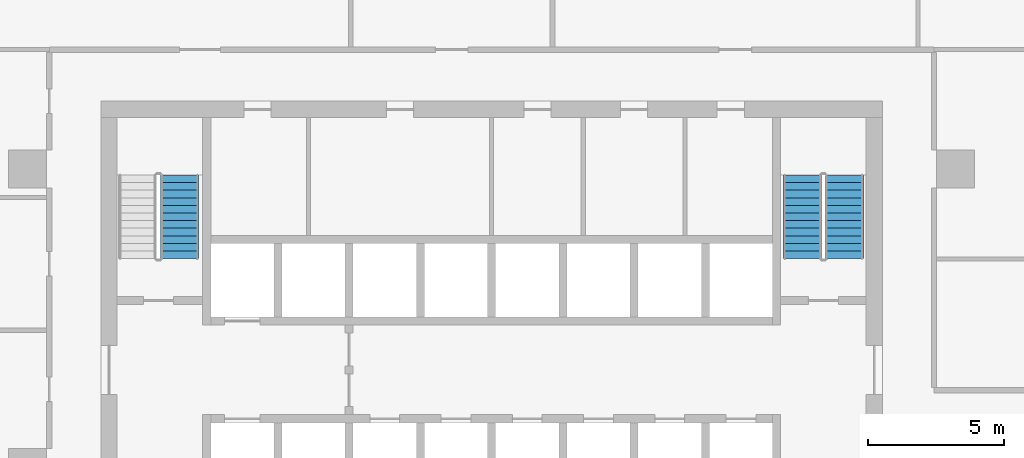
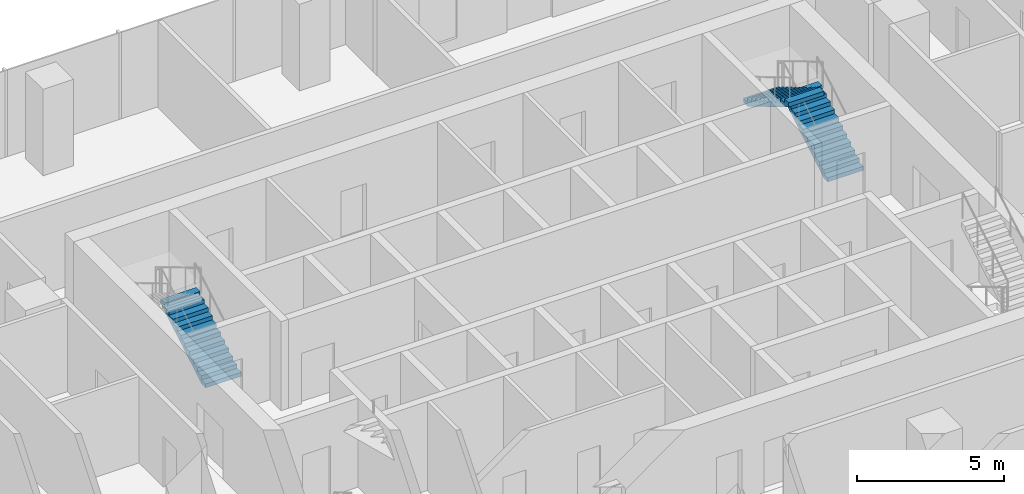
# One storey, part 11 of 14: 3 stair flights, 2 elements without a shape of their own.
"""IFC4 building model written with IfcOpenShell, lengths in metres."""

from ifc_helpers import new_model, si_unit, direction, frame, origin, place, context, subcontext, project, spatial, polyline, outline, extrude, material, type_object, element, aggregate, save


model = new_model("IFC4")

# Units and contexts
model_context = context("Model", 3, precision=1e-05, world=origin(), true_north=direction((0.0, 1.0)))
body_context = subcontext(model_context, "Body", "Model", "MODEL_VIEW")
ifc_project = project(units=[si_unit("LENGTHUNIT", "METRE"), si_unit("AREAUNIT", "SQUARE_METRE"), si_unit("VOLUMEUNIT", "CUBIC_METRE"), si_unit("PLANEANGLEUNIT", "RADIAN"), si_unit("MASSUNIT", "GRAM", prefix="KILO")], contexts=[model_context])

# Site, building, storey
site_placement = place(None, origin())
site = spatial("IfcSite", under=ifc_project, at=site_placement, CompositionType="ELEMENT")
building_placement = place(site_placement, origin())
building = spatial("IfcBuilding", under=site, at=building_placement, Name="Mopane Tessera Tower", CompositionType="ELEMENT")
storey_placement = place(building_placement, frame((0.0, 0.0, 185.0)))
storey = spatial("IfcBuildingStorey", under=building, at=storey_placement, Name="L38", CompositionType="ELEMENT", Elevation=185.0)

# Stair, stair flight
ifc_material_1 = material(Name="Concrete C50/60", Category="concrete")
stair_type = type_object("IfcStairType", Name="Escape stair 1400 mm, riser 167 mm", PredefinedType="HALF_TURN_STAIR", material=ifc_material_1)
stair_1_placement = place(storey_placement, origin())
stair_1 = element("IfcStair", 1, at=stair_1_placement, inside=storey, type_object=stair_type, Name="L38 Escape stair north-west", PredefinedType="HALF_TURN_STAIR")
ifc_material_2 = material(Name="Concrete C50/60", Category="concrete")
stair_flight_type = type_object("IfcStairFlightType", Name="Escape stair flight 1400 mm", PredefinedType="STRAIGHT", material=ifc_material_2)
stair_flight_1_placement = place(storey_placement, frame((-11.5, 7.699951171875, 0.0), z_axis=(0.0, 0.0, 1.0), x_axis=(0.0, 1.0, 0.0)))
stair_flight_1 = element("IfcStairFlight", 2, at=stair_flight_1_placement, type_object=stair_flight_type, Name="ST2 flight 1", NumberOfRisers=12, NumberOfTreads=11, PredefinedType="STRAIGHT", RiserHeight=0.166666667, TreadLength=0.28, context=body_context, shape_type="SweptSolid", body=[
    extrude(outline(polyline([(0.0, 0.0), (0.0, 0.166748046875), (0.280029296875, 0.166748046875), (0.280029296875, 0.333251953125), (0.56005859375, 0.333251953125), (0.56005859375, 0.5), (0.840087890625, 0.5), (0.840087890625, 0.666748046875), (1.1201171875, 0.666748046875), (1.1201171875, 0.833251953125), (1.39990234375, 0.833251953125), (1.39990234375, 1.0), (1.679931640625, 1.0), (1.679931640625, 1.166748046875), (1.9599609375, 1.166748046875), (1.9599609375, 1.333251953125), (2.239990234375, 1.333251953125), (2.239990234375, 1.5), (2.52001953125, 1.5), (2.52001953125, 1.666748046875), (2.800048828125, 1.666748046875), (2.800048828125, 1.833251953125), (3.080078125, 1.833251953125), (3.080078125, 2.0), (3.080078125, 1.658935546875), (0.29296875, 0.0), (0.0, 0.0)])), frame((0.0, 0.699951171875, 0.0), z_axis=(0.0, -1.0, 0.0), x_axis=(1.0, 0.0, 0.0)), (0.0, 0.0, 1.0), 1.39990234375),
])
aggregate(stair_1, [stair_flight_1])

# Stair, stair flights
stair_2_placement = place(storey_placement, origin())
stair_2 = element("IfcStair", 3, at=stair_2_placement, inside=storey, type_object=stair_type, Name="L38 Escape stair north-east", PredefinedType="HALF_TURN_STAIR")
stair_flight_2_placement = place(storey_placement, frame((13.0, 7.699951171875, 0.0), z_axis=(0.0, 0.0, 1.0), x_axis=(0.0, 1.0, 0.0)))
stair_flight_2 = element("IfcStairFlight", 4, at=stair_flight_2_placement, type_object=stair_flight_type, Name="ST4 flight 1", NumberOfRisers=12, NumberOfTreads=11, PredefinedType="STRAIGHT", RiserHeight=0.166666667, TreadLength=0.28, context=body_context, shape_type="SweptSolid", body=[
    extrude(outline(polyline([(0.0, 0.0), (0.0, 0.166748046875), (0.280029296875, 0.166748046875), (0.280029296875, 0.333251953125), (0.56005859375, 0.333251953125), (0.56005859375, 0.5), (0.840087890625, 0.5), (0.840087890625, 0.666748046875), (1.1201171875, 0.666748046875), (1.1201171875, 0.833251953125), (1.39990234375, 0.833251953125), (1.39990234375, 1.0), (1.679931640625, 1.0), (1.679931640625, 1.166748046875), (1.9599609375, 1.166748046875), (1.9599609375, 1.333251953125), (2.239990234375, 1.333251953125), (2.239990234375, 1.5), (2.52001953125, 1.5), (2.52001953125, 1.666748046875), (2.800048828125, 1.666748046875), (2.800048828125, 1.833251953125), (3.080078125, 1.833251953125), (3.080078125, 2.0), (3.080078125, 1.658935546875), (0.29296875, 0.0), (0.0, 0.0)])), frame((0.0, 0.699951171875, 0.0), z_axis=(0.0, -1.0, 0.0), x_axis=(1.0, 0.0, 0.0)), (0.0, 0.0, 1.0), 1.39990234375),
])
stair_flight_3_placement = place(storey_placement, frame((11.449951171875, 10.780029296875, 2.0), z_axis=(0.0, 0.0, 1.0), x_axis=(0.0, -1.0, 0.0)))
stair_flight_3 = element("IfcStairFlight", 5, at=stair_flight_3_placement, type_object=stair_flight_type, Name="ST4 flight 2", NumberOfRisers=12, NumberOfTreads=11, PredefinedType="STRAIGHT", RiserHeight=0.166666667, TreadLength=0.28, context=body_context, shape_type="SweptSolid", body=[
    extrude(outline(polyline([(0.0, 0.0), (0.0, 0.166748046875), (0.280029296875, 0.166748046875), (0.280029296875, 0.333251953125), (0.56005859375, 0.333251953125), (0.56005859375, 0.5), (0.840087890625, 0.5), (0.840087890625, 0.666748046875), (1.1201171875, 0.666748046875), (1.1201171875, 0.833251953125), (1.39990234375, 0.833251953125), (1.39990234375, 1.0), (1.679931640625, 1.0), (1.679931640625, 1.166748046875), (1.9599609375, 1.166748046875), (1.9599609375, 1.333251953125), (2.239990234375, 1.333251953125), (2.239990234375, 1.5), (2.52001953125, 1.5), (2.52001953125, 1.666748046875), (2.800048828125, 1.666748046875), (2.800048828125, 1.833251953125), (3.080078125, 1.833251953125), (3.080078125, 2.0), (3.080078125, 1.658935546875), (0.29296875, 0.0), (0.0, 0.0)])), frame((0.0, 0.699951171875, 0.0), z_axis=(0.0, -1.0, 0.0), x_axis=(1.0, 0.0, 0.0)), (0.0, 0.0, 1.0), 1.39990234375),
])
aggregate(stair_2, [stair_flight_2, stair_flight_3])

save(model, "model.ifc")
